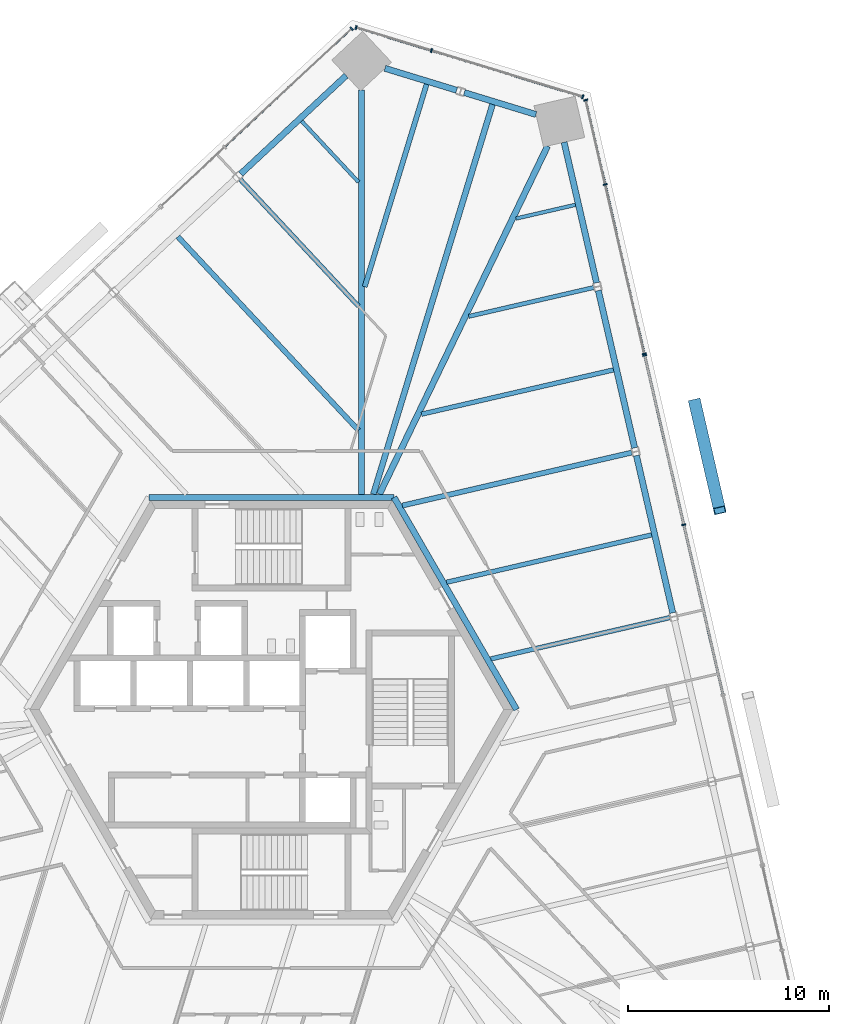
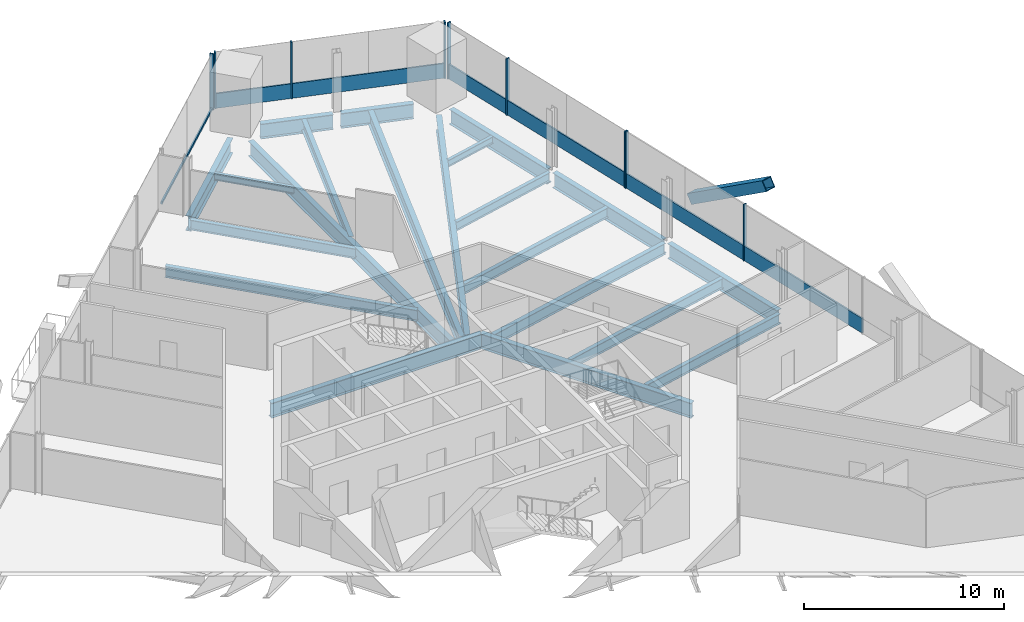
# One storey, part 8 of 19: 21 beams, 17 members, 4 elements without a shape of their own.
"""IFC4 building model written with IfcOpenShell, lengths in metres."""

import ifcopenshell
import ifcopenshell.guid

model = None  # the IFC model being written
_history = None  # IfcOwnerHistory: only IFC2X3 demands one
_inside = {}  # id of a spatial element -> (the spatial element, [elements in it])
_under = {}  # id of a project, library or spatial element -> (it, [spatial elements below it])
_declared = {}  # id of a project -> (the project, [libraries it declares])
_typed = {}  # id of a type object -> (the type object, [elements of that type])
_made_of = {}  # id of a material, layer set ... -> (it, [elements and type objects made of it])


def new_model(schema):
    """Start an empty IFC model of exactly this schema.

    Asked for "IFC4X3", IfcOpenShell would pick the latest addendum, in which some entities
    have other attributes; the version numbers below select the first issue.
    IFC2X3 requires an IfcOwnerHistory on every rooted entity: one is made here for all.
    """
    global model, _history
    if schema == "IFC4X3":
        model = ifcopenshell.file(schema_version=(4, 3, 0, 0))
    else:
        model = ifcopenshell.file(schema=schema)
    _inside.clear()
    _under.clear()
    _declared.clear()
    _typed.clear()
    _made_of.clear()
    _history = None
    if model.schema == "IFC2X3":
        org = make("IfcOrganization", Name="unknown")
        user = make(
            "IfcPersonAndOrganization",
            ThePerson=make("IfcPerson", FamilyName="unknown"),
            TheOrganization=org,
        )
        app = make(
            "IfcApplication",
            ApplicationDeveloper=org,
            Version="unknown",
            ApplicationFullName="unknown",
            ApplicationIdentifier="unknown",
        )
        _history = make(
            "IfcOwnerHistory",
            OwningUser=user,
            OwningApplication=app,
            ChangeAction="ADDED",
            CreationDate=0,
        )
    return model


def make(cls, **values):
    """One entity of the class cls with the attributes given. An attribute that is None is left unset."""
    return model.create_entity(
        cls, **{name: value for name, value in values.items() if value is not None}
    )


def rooted(cls, **values):
    """An entity with a GlobalId (a new one), such as an element, a storey or a relation."""
    return make(cls, GlobalId=ifcopenshell.guid.new(), OwnerHistory=_history, **values)


def si_unit(unit_type, name, prefix=None):
    """IfcSIUnit, for example si_unit("LENGTHUNIT", "METRE", prefix="MILLI")."""
    return make("IfcSIUnit", UnitType=unit_type, Prefix=prefix, Name=name)


def assignment(units):
    """IfcUnitAssignment: the units of a project."""
    return None if units is None else make("IfcUnitAssignment", Units=units)


def point(xyz):
    """IfcCartesianPoint."""
    return None if xyz is None else make("IfcCartesianPoint", Coordinates=xyz)


def direction(xyz):
    """IfcDirection."""
    return None if xyz is None else make("IfcDirection", DirectionRatios=xyz)


def frame(location, z_axis=None, x_axis=None):
    """IfcAxis2Placement3D, a coordinate frame: its origin and axes. An axis left out is left unset."""
    return make(
        "IfcAxis2Placement3D",
        Location=point(location),
        Axis=direction(z_axis),
        RefDirection=direction(x_axis),
    )


def frame_2d(location, x_axis=None):
    """IfcAxis2Placement2D, a coordinate frame in the plane: its origin and x axis."""
    return make(
        "IfcAxis2Placement2D", Location=point(location), RefDirection=direction(x_axis)
    )


def origin():
    """The frame at (0, 0, 0) with its axes left unset."""
    return frame((0.0, 0.0, 0.0))


def origin_2d():
    """The frame at (0, 0) in the plane with its x axis left unset."""
    return frame_2d((0.0, 0.0))


def place(relative_to, where):
    """IfcLocalPlacement: puts the frame where relative to a parent placement (None: the world)."""
    return make(
        "IfcLocalPlacement", PlacementRelTo=relative_to, RelativePlacement=where
    )


def context(
    kind, dimensions, precision=None, world=None, true_north=None, identifier=None
):
    """IfcGeometricRepresentationContext, for example the 3D "Model" context."""
    return make(
        "IfcGeometricRepresentationContext",
        ContextIdentifier=identifier,
        ContextType=kind,
        CoordinateSpaceDimension=dimensions,
        Precision=precision,
        WorldCoordinateSystem=world,
        TrueNorth=true_north,
    )


def subcontext(parent, identifier, kind, view, scale=None):
    """IfcGeometricRepresentationSubContext, for example "Body" below "Model"."""
    return make(
        "IfcGeometricRepresentationSubContext",
        ContextIdentifier=identifier,
        ContextType=kind,
        ParentContext=parent,
        TargetScale=scale,
        TargetView=view,
    )


def project(units=None, contexts=None):
    """IfcProject with its units and contexts."""
    return rooted(
        "IfcProject",
        Name="project",
        RepresentationContexts=contexts,
        UnitsInContext=assignment(units),
    )


def spatial(cls, under=None, at=None, **own):
    """A site, building, storey or space (cls), placed at a placement, below another one or the project."""
    s = rooted(cls, ObjectPlacement=at, **own)
    if under is not None:
        _under.setdefault(under.id(), (under, []))[1].append(s)
    return s


def profile(cls, at=None, kind="AREA", **sizes):
    """A parametric profile (cls). Its sizes go by their IFC names, for example OverallWidth=200.0."""
    return make(cls, ProfileType=kind, Position=at, **sizes)


def rectangle(**sizes):
    """IfcRectangleProfileDef."""
    return profile("IfcRectangleProfileDef", **sizes)


def hollow_rectangle(**sizes):
    """IfcRectangleHollowProfileDef."""
    return profile("IfcRectangleHollowProfileDef", **sizes)


def i_section(**sizes):
    """IfcIShapeProfileDef."""
    return profile("IfcIShapeProfileDef", **sizes)


def extrude(swept, where, along, depth):
    """IfcExtrudedAreaSolid: the profile swept, set in the frame where, extruded along a direction by depth."""
    return make(
        "IfcExtrudedAreaSolid",
        SweptArea=swept,
        Position=where,
        ExtrudedDirection=direction(along),
        Depth=depth,
    )


def shape(context_of_items, identifier, shape_type, items):
    """IfcShapeRepresentation: the items that make up one representation, for example the "Body"."""
    return make(
        "IfcShapeRepresentation",
        ContextOfItems=context_of_items,
        RepresentationIdentifier=identifier,
        RepresentationType=shape_type,
        Items=items,
    )


def source(mapping_origin, context_of_items, identifier, shape_type, items):
    """IfcRepresentationMap: a shape defined once, which mapped items show again and again."""
    return make(
        "IfcRepresentationMap",
        MappingOrigin=mapping_origin,
        MappedRepresentation=shape(context_of_items, identifier, shape_type, items),
    )


def transform(
    local_origin,
    x_axis=None,
    y_axis=None,
    z_axis=None,
    scale=None,
    scale2=None,
    scale3=None,
    uniform=True,
):
    """IfcCartesianTransformationOperator3D, or its non-uniform kind. x_axis, y_axis, z_axis: its Axis1, 2, 3."""
    if uniform:
        return make(
            "IfcCartesianTransformationOperator3D",
            Axis1=direction(x_axis),
            Axis2=direction(y_axis),
            LocalOrigin=point(local_origin),
            Scale=scale,
            Axis3=direction(z_axis),
        )
    return make(
        "IfcCartesianTransformationOperator3DnonUniform",
        Axis1=direction(x_axis),
        Axis2=direction(y_axis),
        LocalOrigin=point(local_origin),
        Scale=scale,
        Axis3=direction(z_axis),
        Scale2=scale2,
        Scale3=scale3,
    )


def mapped(mapping_source, mapping_target):
    """IfcMappedItem: shows the shape of a source again, moved by a transform."""
    return make(
        "IfcMappedItem", MappingSource=mapping_source, MappingTarget=mapping_target
    )


def material(Name=None, Category=None):
    """IfcMaterial."""
    return make("IfcMaterial", Name=Name, Category=Category)


def material_profile(
    of_material, cross_section, Name=None, Category=None, Priority=None
):
    """IfcMaterialProfile: a cross section and its material."""
    return make(
        "IfcMaterialProfile",
        Name=Name,
        Material=of_material,
        Profile=cross_section,
        Priority=Priority,
        Category=Category,
    )


def profile_set(profiles, Name=None, composite=None):
    """IfcMaterialProfileSet."""
    return make(
        "IfcMaterialProfileSet",
        Name=Name,
        MaterialProfiles=profiles,
        CompositeProfile=composite,
    )


def made_of(thing, what):
    """Note that an element or type object is made of a material, layer set ...; save() writes the relation."""
    if what is not None:
        _made_of.setdefault(what.id(), (what, []))[1].append(thing)
    return thing


def type_object(cls, material=None, **own):
    """A type object (cls), such as IfcWallType, which elements share."""
    return made_of(rooted(cls, **own), material)


def element(
    cls,
    number,
    at=None,
    inside=None,
    cuts=None,
    type_object=None,
    material=None,
    context=None,
    identifier="Body",
    shape_type=None,
    held_by="IfcProductDefinitionShape",
    body=None,
    shapes=None,
    **own,
):
    """One element of the class cls, such as IfcWall. Its Tag is "e" and its number.

    at: its placement. inside: the storey or other place that contains it. cuts: it is an
    opening in that element (IfcRelVoidsElement). A single representation is given by context,
    identifier, shape_type and body (its items); several are given by shapes. held_by: the class
    of the entity that holds the representations. save() writes the other relations.
    """
    e = rooted(cls, Tag="e%d" % number, ObjectPlacement=at, **own)
    if body is not None:
        shapes = [shape(context, identifier, shape_type, body)]
    if shapes is not None:
        e.Representation = make(held_by, Representations=shapes)
    if inside is not None:
        _inside.setdefault(inside.id(), (inside, []))[1].append(e)
    if cuts is not None:
        rooted(
            "IfcRelVoidsElement", RelatingBuildingElement=cuts, RelatedOpeningElement=e
        )
    if type_object is not None:
        _typed.setdefault(type_object.id(), (type_object, []))[1].append(e)
    return made_of(e, material)


def aggregate(whole, parts):
    """IfcRelAggregates: a whole, such as a stair, and the parts it consists of."""
    return rooted("IfcRelAggregates", RelatingObject=whole, RelatedObjects=parts)


def save(model, path):
    """Write the relations noted so far, then the file.

    IfcRelAggregates (storeys below a building ...), IfcRelContainedInSpatialStructure (elements
    in a storey), IfcRelDefinesByType, IfcRelAssociatesMaterial and IfcRelDeclares: one each for
    every whole, place, type object, material and project.
    """
    for whole, parts in _under.values():
        aggregate(whole, parts)
    for where, things in _inside.values():
        rooted(
            "IfcRelContainedInSpatialStructure",
            RelatedElements=things,
            RelatingStructure=where,
        )
    for kind, things in _typed.values():
        rooted("IfcRelDefinesByType", RelatedObjects=things, RelatingType=kind)
    for what, things in _made_of.values():
        rooted("IfcRelAssociatesMaterial", RelatedObjects=things, RelatingMaterial=what)
    for by, libraries in _declared.values():
        rooted("IfcRelDeclares", RelatingContext=by, RelatedDefinitions=libraries)
    model.write(path)


model = new_model("IFC4")

# Units and contexts
model_context = context("Model", 3, precision=1e-05, world=origin(), true_north=direction((0.0, 1.0)))
body_context = subcontext(model_context, "Body", "Model", "MODEL_VIEW")
ifc_project = project(units=[si_unit("LENGTHUNIT", "METRE"), si_unit("AREAUNIT", "SQUARE_METRE"), si_unit("VOLUMEUNIT", "CUBIC_METRE"), si_unit("PLANEANGLEUNIT", "RADIAN"), si_unit("MASSUNIT", "GRAM", prefix="KILO")], contexts=[model_context])

# Site, building, storey
site_placement = place(None, origin())
site = spatial("IfcSite", under=ifc_project, at=site_placement, CompositionType="ELEMENT")
building_placement = place(site_placement, origin())
building = spatial("IfcBuilding", under=site, at=building_placement, Name="Triune Harvest Tower", CompositionType="ELEMENT")
storey_placement = place(building_placement, frame((0.0, 0.0, 109.10009765625)))
storey = spatial("IfcBuildingStorey", under=building, at=storey_placement, Name="L27", CompositionType="ELEMENT", Elevation=109.10009765625)

# Beams
ifc_material_1 = material(Name="Steel ASTM A992 Gr 50", Category="steel")
ifc_material_profile_1 = material_profile(ifc_material_1, i_section(OverallWidth=0.3046875, OverallDepth=0.914306640625, WebThickness=0.0166015625, FlangeThickness=0.02587890625, at=origin_2d()), Name="W36x160")
ifc_profile_set_1 = profile_set([ifc_material_profile_1], Name="Steel ASTM A992 Gr 50")
beam_type_1 = type_object("IfcBeamType", Name="CG-1 Core ring girder W36x160", PredefinedType="BEAM", material=ifc_profile_set_1)
shared_shape_1 = source(origin(), body_context, "Body", "SweptSolid", [
    extrude(i_section(OverallWidth=0.3046875, OverallDepth=0.914306640625, WebThickness=0.0166015625, FlangeThickness=0.02587890625, at=origin_2d()), origin(), (0.0, 0.0, 1.0), 12.176025390625),
])
beam_1_placement = place(storey_placement, frame((12.176025390625, 0.0, -0.6171875), z_axis=(-0.5000099932, 0.866019634131, 0.0), x_axis=(-0.866019634131, -0.5000099932, 0.0)))
element("IfcBeam", 1, at=beam_1_placement, inside=storey, type_object=beam_type_1, Name="beam/L27/CG1", PredefinedType="BEAM", context=body_context, shape_type="MappedRepresentation", body=[
    mapped(shared_shape_1, transform((0.0, 0.0, 0.0), scale=1.0)),
])
shared_shape_2 = source(origin(), body_context, "Body", "SweptSolid", [
    extrude(i_section(OverallWidth=0.3046875, OverallDepth=0.914306640625, WebThickness=0.0166015625, FlangeThickness=0.02587890625, at=origin_2d()), origin(), (0.0, 0.0, 1.0), 12.17578125),
])
beam_2_placement = place(storey_placement, frame((6.087890625, 10.544677734375, -0.6171875), z_axis=(-1.0, 0.0, 0.0), x_axis=(0.0, -1.0, 0.0)))
element("IfcBeam", 2, at=beam_2_placement, inside=storey, type_object=beam_type_1, Name="beam/L27/CG2", PredefinedType="BEAM", context=body_context, shape_type="MappedRepresentation", body=[
    mapped(shared_shape_2, transform((0.0, 0.0, 0.0), scale=1.0)),
])
ifc_material_2 = material(Name="Steel ASTM A992 Gr 50", Category="steel")
ifc_material_profile_2 = material_profile(ifc_material_2, i_section(OverallWidth=0.3046875, OverallDepth=0.914306640625, WebThickness=0.0166015625, FlangeThickness=0.02587890625, at=origin_2d()), Name="W36x160")
ifc_profile_set_2 = profile_set([ifc_material_profile_2], Name="Steel ASTM A992 Gr 50")
beam_type_2 = type_object("IfcBeamType", Name="SB-1 Spandrel beam W36x160", PredefinedType="SPANDREL", material=ifc_profile_set_2)
shared_shape_3 = source(origin(), body_context, "Body", "SweptSolid", [
    extrude(i_section(OverallWidth=0.3046875, OverallDepth=0.914306640625, WebThickness=0.0166015625, FlangeThickness=0.02587890625, at=origin_2d()), origin(), (0.0, 0.0, 1.0), 8.0185546875),
])
beam_3_placement = place(storey_placement, frame((18.04248046875, 13.00439453125, -0.6171875), z_axis=(-0.224915098534, 0.974378365139, 0.0), x_axis=(-0.974378365139, -0.224915098534, 0.0)))
element("IfcBeam", 3, at=beam_3_placement, inside=storey, type_object=beam_type_2, Name="beam/L27/SB5", PredefinedType="SPANDREL", context=body_context, shape_type="MappedRepresentation", body=[
    mapped(shared_shape_3, transform((0.0, 0.0, 0.0), scale=1.0)),
])
shared_shape_4 = source(origin(), body_context, "Body", "SweptSolid", [
    extrude(i_section(OverallWidth=0.3046875, OverallDepth=0.914306640625, WebThickness=0.0166015625, FlangeThickness=0.02587890625, at=origin_2d()), origin(), (0.0, 0.0, 1.0), 8.01806640625),
])
beam_4_placement = place(storey_placement, frame((19.935546875, 4.805908203125, -0.6171875), z_axis=(-0.224957352975, 0.97436861061, 0.0), x_axis=(-0.97436861061, -0.224957352975, 0.0)))
element("IfcBeam", 4, at=beam_4_placement, inside=storey, type_object=beam_type_2, Name="beam/L27/SB4", PredefinedType="SPANDREL", context=body_context, shape_type="MappedRepresentation", body=[
    mapped(shared_shape_4, transform((0.0, 0.0, 0.0), scale=1.0)),
])
shared_shape_5 = source(origin(), body_context, "Body", "SweptSolid", [
    extrude(i_section(OverallWidth=0.3046875, OverallDepth=0.914306640625, WebThickness=0.0166015625, FlangeThickness=0.02587890625, at=origin_2d()), origin(), (0.0, 0.0, 1.0), 7.16650390625),
])
for number, where, z_axis, x_axis, name in (
    (5, (16.14990234375, 21.203369140625, -0.6171875), (-0.224981420466, 0.974363053715, 0.0), (-0.974363053715, -0.224981420466, 0.0), "beam/L27/SB6"),
    (6, (3.709228515625, 31.49658203125, -0.6171875), (-0.731357675554, -0.681994098515, 0.0), (0.681994098515, -0.731357675554, 0.0), "beam/L27/SB9"),
):
    element("IfcBeam", number, at=place(storey_placement, frame(where, z_axis=z_axis, x_axis=x_axis)), inside=storey, type_object=beam_type_2, Name=name, PredefinedType="SPANDREL", context=body_context, shape_type="MappedRepresentation", body=[
        mapped(shared_shape_5, transform((0.0, 0.0, 0.0), scale=1.0)),
    ])
shared_shape_6 = source(origin(), body_context, "Body", "SweptSolid", [
    extrude(i_section(OverallWidth=0.3046875, OverallDepth=0.914306640625, WebThickness=0.0166015625, FlangeThickness=0.02587890625, at=origin_2d()), origin(), (0.0, 0.0, 1.0), 3.72607421875),
])
beam_5_placement = place(storey_placement, frame((13.14208984375, 29.563720703125, -0.6171875), z_axis=(-0.956307307825, 0.292363357829, 0.0), x_axis=(-0.292363357829, -0.956307307825, 0.0)))
element("IfcBeam", 7, at=beam_5_placement, inside=storey, type_object=beam_type_2, Name="beam/L27/SB7", PredefinedType="SPANDREL", context=body_context, shape_type="MappedRepresentation", body=[
    mapped(shared_shape_6, transform((0.0, 0.0, 0.0), scale=1.0)),
])
shared_shape_7 = source(origin(), body_context, "Body", "SweptSolid", [
    extrude(i_section(OverallWidth=0.3046875, OverallDepth=0.914306640625, WebThickness=0.0166015625, FlangeThickness=0.02587890625, at=origin_2d()), origin(), (0.0, 0.0, 1.0), 3.725830078125),
])
beam_6_placement = place(storey_placement, frame((9.19970703125, 30.768798828125, -0.6171875), z_axis=(-0.956301706638, 0.292381678431, 0.0), x_axis=(-0.292381678431, -0.956301706638, 0.0)))
element("IfcBeam", 8, at=beam_6_placement, inside=storey, type_object=beam_type_2, Name="beam/L27/SB8", PredefinedType="SPANDREL", context=body_context, shape_type="MappedRepresentation", body=[
    mapped(shared_shape_7, transform((0.0, 0.0, 0.0), scale=1.0)),
])
ifc_material_3 = material(Name="Steel ASTM A992 Gr 50", Category="steel")
ifc_material_profile_3 = material_profile(ifc_material_3, i_section(OverallWidth=0.307373046875, OverallDepth=0.922119140625, WebThickness=0.018310546875, FlangeThickness=0.030029296875, at=origin_2d()), Name="W36x182")
ifc_profile_set_3 = profile_set([ifc_material_profile_3], Name="Steel ASTM A992 Gr 50")
beam_type_3 = type_object("IfcBeamType", Name="HG-2 Hip girder W36x182", PredefinedType="BEAM", material=ifc_profile_set_3)
shared_shape_8 = source(origin(), body_context, "Body", "SweptSolid", [
    extrude(i_section(OverallWidth=0.307373046875, OverallDepth=0.922119140625, WebThickness=0.018310546875, FlangeThickness=0.030029296875, at=origin_2d()), origin(), (0.0, 0.0, 1.0), 19.2109375),
])
beam_7_placement = place(storey_placement, frame((13.7158203125, 27.996337890625, -0.62109375), z_axis=(-0.434869540736, -0.900493466129, 0.0), x_axis=(0.900493466129, -0.434869540736, 0.0)))
element("IfcBeam", 9, at=beam_7_placement, inside=storey, type_object=beam_type_3, Name="beam/L27/HG3", PredefinedType="BEAM", context=body_context, shape_type="MappedRepresentation", body=[
    mapped(shared_shape_8, transform((0.0, 0.0, 0.0), scale=1.0)),
])
shared_shape_9 = source(origin(), body_context, "Body", "SweptSolid", [
    extrude(i_section(OverallWidth=0.307373046875, OverallDepth=0.922119140625, WebThickness=0.018310546875, FlangeThickness=0.030029296875, at=origin_2d()), origin(), (0.0, 0.0, 1.0), 20.080078125),
])
beam_8_placement = place(storey_placement, frame((4.47705078125, 30.777099609375, -0.62109375), z_axis=(0.0, -1.0, 0.0), x_axis=(1.0, 0.0, 0.0)))
element("IfcBeam", 10, at=beam_8_placement, inside=storey, type_object=beam_type_3, Name="beam/L27/HG4", PredefinedType="BEAM", context=body_context, shape_type="MappedRepresentation", body=[
    mapped(shared_shape_9, transform((0.0, 0.0, 0.0), scale=1.0)),
])
ifc_material_4 = material(Name="Steel ASTM A992 Gr 50", Category="steel")
ifc_material_profile_4 = material_profile(ifc_material_4, i_section(OverallWidth=0.22900390625, OverallDepth=0.612060546875, WebThickness=0.011962890625, FlangeThickness=0.01953125, at=origin_2d()), Name="W24x84")
ifc_profile_set_4 = profile_set([ifc_material_profile_4], Name="Steel ASTM A992 Gr 50")
beam_type_4 = type_object("IfcBeamType", Name="JT-3 Floor joist W24x84", PredefinedType="JOIST", material=ifc_profile_set_4)
shared_shape_10 = source(origin(), body_context, "Body", "SweptSolid", [
    extrude(i_section(OverallWidth=0.22900390625, OverallDepth=0.612060546875, WebThickness=0.011962890625, FlangeThickness=0.01953125, at=origin_2d()), origin(), (0.0, 0.0, 1.0), 9.129150390625),
])
beam_9_placement = place(storey_placement, frame((19.79443359375, 4.56982421875, -0.46630859375), z_axis=(-0.974374065454, -0.22493372484, 0.0), x_axis=(0.22493372484, -0.974374065454, 0.0)))
element("IfcBeam", 11, at=beam_9_placement, inside=storey, type_object=beam_type_4, Name="beam/L27/JT6", PredefinedType="JOIST", context=body_context, shape_type="MappedRepresentation", body=[
    mapped(shared_shape_10, transform((0.0, 0.0, 0.0), scale=1.0)),
])
shared_shape_11 = source(origin(), body_context, "Body", "SweptSolid", [
    extrude(i_section(OverallWidth=0.22900390625, OverallDepth=0.612060546875, WebThickness=0.011962890625, FlangeThickness=0.01953125, at=origin_2d()), origin(), (0.0, 0.0, 1.0), 10.45361328125),
])
beam_10_placement = place(storey_placement, frame((18.88525390625, 8.677978515625, -0.46630859375), z_axis=(-0.974370329956, -0.224949905758, 0.0), x_axis=(0.224949905758, -0.974370329956, 0.0)))
element("IfcBeam", 12, at=beam_10_placement, inside=storey, type_object=beam_type_4, Name="beam/L27/JT7", PredefinedType="JOIST", context=body_context, shape_type="MappedRepresentation", body=[
    mapped(shared_shape_11, transform((0.0, 0.0, 0.0), scale=1.0)),
])
ifc_material_5 = material(Name="Steel ASTM A992 Gr 50", Category="steel")
ifc_material_profile_5 = material_profile(ifc_material_5, i_section(OverallWidth=0.253662109375, OverallDepth=0.683349609375, WebThickness=0.012451171875, FlangeThickness=0.01904296875, at=origin_2d()), Name="W27x94")
ifc_profile_set_5 = profile_set([ifc_material_profile_5], Name="Steel ASTM A992 Gr 50")
beam_type_5 = type_object("IfcBeamType", Name="JT-4 Floor joist W27x94", PredefinedType="JOIST", material=ifc_profile_set_5)
shared_shape_12 = source(origin(), body_context, "Body", "SweptSolid", [
    extrude(i_section(OverallWidth=0.253662109375, OverallDepth=0.683349609375, WebThickness=0.012451171875, FlangeThickness=0.01904296875, at=origin_2d()), origin(), (0.0, 0.0, 1.0), 11.701904296875),
])
beam_11_placement = place(storey_placement, frame((17.901611328125, 12.768798828125, -0.501708984375), z_axis=(-0.974365520252, -0.224970737974, 0.0), x_axis=(0.224970737974, -0.974365520252, 0.0)))
element("IfcBeam", 13, at=beam_11_placement, inside=storey, type_object=beam_type_5, Name="beam/L27/JT8", PredefinedType="JOIST", context=body_context, shape_type="MappedRepresentation", body=[
    mapped(shared_shape_12, transform((0.0, 0.0, 0.0), scale=1.0)),
])
shared_shape_13 = source(origin(), body_context, "Body", "SweptSolid", [
    extrude(i_section(OverallWidth=0.22900390625, OverallDepth=0.612060546875, WebThickness=0.011962890625, FlangeThickness=0.01953125, at=origin_2d()), origin(), (0.0, 0.0, 1.0), 9.790283203125),
])
beam_12_placement = place(storey_placement, frame((16.9921875, 16.876708984375, -0.46630859375), z_axis=(-0.974368495141, -0.224957853113, 0.0), x_axis=(0.224957853113, -0.974368495141, 0.0)))
element("IfcBeam", 14, at=beam_12_placement, inside=storey, type_object=beam_type_4, Name="beam/L27/JT9", PredefinedType="JOIST", context=body_context, shape_type="MappedRepresentation", body=[
    mapped(shared_shape_13, transform((0.0, 0.0, 0.0), scale=1.0)),
])
ifc_material_6 = material(Name="Steel ASTM A992 Gr 50", Category="steel")
ifc_material_profile_6 = material_profile(ifc_material_6, i_section(OverallWidth=0.2099609375, OverallDepth=0.535888671875, WebThickness=0.010986328125, FlangeThickness=0.017333984375, at=origin_2d()), Name="W21x68")
ifc_profile_set_6 = profile_set([ifc_material_profile_6], Name="Steel ASTM A992 Gr 50")
beam_type_6 = type_object("IfcBeamType", Name="JT-2 Floor joist W21x68", PredefinedType="JOIST", material=ifc_profile_set_6)
shared_shape_14 = source(origin(), body_context, "Body", "SweptSolid", [
    extrude(i_section(OverallWidth=0.2099609375, OverallDepth=0.535888671875, WebThickness=0.010986328125, FlangeThickness=0.017333984375, at=origin_2d()), origin(), (0.0, 0.0, 1.0), 6.372314453125),
])
beam_13_placement = place(storey_placement, frame((16.0087890625, 20.967529296875, -0.427978515625), z_axis=(-0.974365360565, -0.224971429586, 0.0), x_axis=(0.224971429586, -0.974365360565, 0.0)))
element("IfcBeam", 15, at=beam_13_placement, inside=storey, type_object=beam_type_6, Name="beam/L27/JT10", PredefinedType="JOIST", context=body_context, shape_type="MappedRepresentation", body=[
    mapped(shared_shape_14, transform((0.0, 0.0, 0.0), scale=1.0)),
])
ifc_material_7 = material(Name="Steel ASTM A992 Gr 50", Category="steel")
ifc_material_profile_7 = material_profile(ifc_material_7, i_section(OverallWidth=0.180908203125, OverallDepth=0.41650390625, WebThickness=0.010986328125, FlangeThickness=0.01806640625, at=origin_2d()), Name="W16x57")
ifc_profile_set_7 = profile_set([ifc_material_profile_7], Name="Steel ASTM A992 Gr 50")
beam_type_7 = type_object("IfcBeamType", Name="JT-1 Floor joist W16x57", PredefinedType="JOIST", material=ifc_profile_set_7)
shared_shape_15 = source(origin(), body_context, "Body", "SweptSolid", [
    extrude(i_section(OverallWidth=0.180908203125, OverallDepth=0.41650390625, WebThickness=0.010986328125, FlangeThickness=0.01806640625, at=origin_2d()), origin(), (0.0, 0.0, 1.0), 3.0302734375),
])
beam_14_placement = place(storey_placement, frame((15.099365234375, 25.075439453125, -0.368408203125), z_axis=(-0.974372182121, -0.224941882957, 0.0), x_axis=(0.224941882957, -0.974372182121, 0.0)))
element("IfcBeam", 16, at=beam_14_placement, inside=storey, type_object=beam_type_7, Name="beam/L27/JT11", PredefinedType="JOIST", context=body_context, shape_type="MappedRepresentation", body=[
    mapped(shared_shape_15, transform((0.0, 0.0, 0.0), scale=1.0)),
])
ifc_material_8 = material(Name="Steel ASTM A992 Gr 50", Category="steel")
ifc_material_profile_8 = material_profile(ifc_material_8, i_section(OverallWidth=0.2919921875, OverallDepth=0.8583984375, WebThickness=0.01708984375, FlangeThickness=0.031005859375, at=origin_2d()), Name="W33x169")
ifc_profile_set_8 = profile_set([ifc_material_profile_8], Name="Steel ASTM A992 Gr 50")
beam_type_8 = type_object("IfcBeamType", Name="JT-7 Floor joist W33x169", PredefinedType="JOIST", material=ifc_profile_set_8)
shared_shape_16 = source(origin(), body_context, "Body", "SweptSolid", [
    extrude(i_section(OverallWidth=0.2919921875, OverallDepth=0.8583984375, WebThickness=0.01708984375, FlangeThickness=0.031005859375, at=origin_2d()), origin(), (0.0, 0.0, 1.0), 20.252685546875),
])
beam_15_placement = place(storey_placement, frame((10.982177734375, 30.064697265625, -0.58935546875), z_axis=(-0.292364925189, -0.956306828648, 0.0), x_axis=(0.956306828648, -0.292364925189, 0.0)))
element("IfcBeam", 17, at=beam_15_placement, inside=storey, type_object=beam_type_8, Name="beam/L27/JT12", PredefinedType="JOIST", context=body_context, shape_type="MappedRepresentation", body=[
    mapped(shared_shape_16, transform((0.0, 0.0, 0.0), scale=1.0)),
])
shared_shape_17 = source(origin(), body_context, "Body", "SweptSolid", [
    extrude(i_section(OverallWidth=0.253662109375, OverallDepth=0.683349609375, WebThickness=0.012451171875, FlangeThickness=0.01904296875, at=origin_2d()), origin(), (0.0, 0.0, 1.0), 10.522705078125),
])
beam_16_placement = place(storey_placement, frame((7.707275390625, 31.065673828125, -0.501708984375), z_axis=(-0.292358820543, -0.956308694957, 0.0), x_axis=(0.956308694957, -0.292358820543, 0.0)))
element("IfcBeam", 18, at=beam_16_placement, inside=storey, type_object=beam_type_5, Name="beam/L27/JT13", PredefinedType="JOIST", context=body_context, shape_type="MappedRepresentation", body=[
    mapped(shared_shape_17, transform((0.0, 0.0, 0.0), scale=1.0)),
])
shared_shape_18 = source(origin(), body_context, "Body", "SweptSolid", [
    extrude(i_section(OverallWidth=0.180908203125, OverallDepth=0.41650390625, WebThickness=0.010986328125, FlangeThickness=0.01806640625, at=origin_2d()), origin(), (0.0, 0.0, 1.0), 4.134033203125),
])
beam_17_placement = place(storey_placement, frame((1.504150390625, 29.23193359375, -0.368408203125), z_axis=(0.681989931417, -0.731361561367, 0.0), x_axis=(0.731361561367, 0.681989931417, 0.0)))
element("IfcBeam", 19, at=beam_17_placement, inside=storey, type_object=beam_type_7, Name="beam/L27/JT14", PredefinedType="JOIST", context=body_context, shape_type="MappedRepresentation", body=[
    mapped(shared_shape_18, transform((0.0, 0.0, 0.0), scale=1.0)),
])
shared_shape_19 = source(origin(), body_context, "Body", "SweptSolid", [
    extrude(i_section(OverallWidth=0.22900390625, OverallDepth=0.612060546875, WebThickness=0.011962890625, FlangeThickness=0.01953125, at=origin_2d()), origin(), (0.0, 0.0, 1.0), 8.607666015625),
])
beam_18_placement = place(storey_placement, frame((-1.546875, 26.334716796875, -0.46630859375), z_axis=(0.681999854465, -0.731352308063, 0.0), x_axis=(0.731352308063, 0.681999854465, 0.0)))
element("IfcBeam", 20, at=beam_18_placement, inside=storey, type_object=beam_type_4, Name="beam/L27/JT15", PredefinedType="JOIST", context=body_context, shape_type="MappedRepresentation", body=[
    mapped(shared_shape_19, transform((0.0, 0.0, 0.0), scale=1.0)),
])
shared_shape_20 = source(origin(), body_context, "Body", "SweptSolid", [
    extrude(i_section(OverallWidth=0.253662109375, OverallDepth=0.683349609375, WebThickness=0.012451171875, FlangeThickness=0.01904296875, at=origin_2d()), origin(), (0.0, 0.0, 1.0), 13.157470703125),
])
beam_19_placement = place(storey_placement, frame((-4.64990234375, 23.493408203125, -0.501708984375), z_axis=(0.681997545037, -0.731354461642, 0.0), x_axis=(0.731354461642, 0.681997545037, 0.0)))
element("IfcBeam", 21, at=beam_19_placement, inside=storey, type_object=beam_type_5, Name="beam/L27/JT16", PredefinedType="JOIST", context=body_context, shape_type="MappedRepresentation", body=[
    mapped(shared_shape_20, transform((0.0, 0.0, 0.0), scale=1.0)),
])

# Member
ifc_material_9 = material(Name="Steel ASTM A572 Gr 50", Category="steel")
ifc_material_profile_9 = material_profile(ifc_material_9, hollow_rectangle(XDim=0.60009765625, YDim=0.60009765625, WallThickness=0.0400390625, at=origin_2d()), Name="Box 600x600x40")
ifc_profile_set_9 = profile_set([ifc_material_profile_9], Name="Steel ASTM A572 Gr 50")
member_type_1 = type_object("IfcMemberType", Name="BR-2 Brace Box 600x600x40", PredefinedType="BRACE", material=ifc_profile_set_9)
shared_shape_21 = source(origin(), body_context, "Body", "SweptSolid", [
    extrude(hollow_rectangle(XDim=0.60009765625, YDim=0.60009765625, WallThickness=0.0400390625, at=origin_2d()), origin(), (0.0, 0.0, 1.0), 6.56640625),
])
member_1_placement = place(storey_placement, frame((21.033203125, 15.248291015625, 0.0), z_axis=(0.188134834296, -0.814891534243, 0.548230856067), x_axis=(0.974369462042, 0.224953665097, 0.0)))
element("IfcMember", 22, at=member_1_placement, inside=storey, type_object=member_type_1, Name="brace/B3-F1/d2/4", PredefinedType="BRACE", context=body_context, shape_type="MappedRepresentation", body=[
    mapped(shared_shape_21, transform((0.0, 0.0, 0.0), scale=1.0)),
])

# Curtain wall, members
ifc_material_10 = material(Name="Aluminium bronze anodised", Category="aluminium")
curtain_wall_type_1 = type_object("IfcCurtainWallType", Name="CW-7 Tower stick curtain wall with insulated spandrel infill", PredefinedType="NOTDEFINED", material=ifc_material_10)
curtain_wall_1_placement = place(storey_placement, origin())
curtain_wall_1 = element("IfcCurtainWall", 23, at=curtain_wall_1_placement, inside=storey, type_object=curtain_wall_type_1, Name="CW-7 B3-F1 L27 run 1001")
ifc_material_11 = material(Name="Aluminium bronze anodised", Category="aluminium")
ifc_material_profile_10 = material_profile(ifc_material_11, rectangle(XDim=0.199951171875, YDim=0.074951171875, at=origin_2d()), Name="MU-1 mullion 75 x 200")
ifc_profile_set_10 = profile_set([ifc_material_profile_10], Name="Aluminium bronze anodised")
member_type_2 = type_object("IfcMemberType", Name="MU-1 mullion 75 x 200", PredefinedType="MULLION", material=ifc_profile_set_10)
shared_shape_22 = source(origin(), body_context, "Body", "SweptSolid", [
    extrude(rectangle(XDim=0.199951171875, YDim=0.074951171875, at=origin_2d()), origin(), (0.0, 0.0, 1.0), 3.43994140625),
])
member_2_placement = place(storey_placement, frame((20.48388671875, 9.181396484375, 0.0), z_axis=(0.0, 0.0, 1.0), x_axis=(-0.974369954013, -0.22495153415, 0.0)))
member_2 = element("IfcMember", 24, at=member_2_placement, type_object=member_type_2, Name="CW-7 mullion B3-F1 1001.5", PredefinedType="MULLION", context=body_context, shape_type="MappedRepresentation", body=[
    mapped(shared_shape_22, transform((0.0, 0.0, 0.0), scale=1.0)),
])
member_3_placement = place(storey_placement, frame((18.54052734375, 17.599365234375, 0.0), z_axis=(0.0, 0.0, 1.0), x_axis=(-0.974369954013, -0.22495153415, 0.0)))
member_3 = element("IfcMember", 25, at=member_3_placement, type_object=member_type_2, Name="CW-7 mullion B3-F1 1001.7", PredefinedType="MULLION", context=body_context, shape_type="MappedRepresentation", body=[
    mapped(shared_shape_22, transform((0.0, 0.0, 0.0), scale=1.0)),
])

ifc_material_12 = material(Name="Aluminium bronze anodised", Category="aluminium")
curtain_wall_type_2 = type_object("IfcCurtainWallType", Name="CW-1 Tower stick curtain wall", PredefinedType="NOTDEFINED", material=ifc_material_12)
curtain_wall_2_placement = place(storey_placement, origin())
curtain_wall_2 = element("IfcCurtainWall", 26, at=curtain_wall_2_placement, inside=storey, type_object=curtain_wall_type_2, Name="CW-1 B3-F1 L27 run 2001")
member_4_placement = place(storey_placement, frame((18.523681640625, 17.67236328125, 0.0), z_axis=(0.0, 0.0, 1.0), x_axis=(-0.974370100513, -0.22495089959, 0.0)))
member_4 = element("IfcMember", 27, at=member_4_placement, type_object=member_type_2, Name="CW-1 mullion B3-F1 2001.1", PredefinedType="MULLION", context=body_context, shape_type="MappedRepresentation", body=[
    mapped(shared_shape_22, transform((0.0, 0.0, 0.0), scale=1.0)),
])
member_5_placement = place(storey_placement, frame((16.580078125, 26.090087890625, 0.0), z_axis=(0.0, 0.0, 1.0), x_axis=(-0.974370100513, -0.22495089959, 0.0)))
member_5 = element("IfcMember", 28, at=member_5_placement, type_object=member_type_2, Name="CW-1 mullion B3-F1 2001.3", PredefinedType="MULLION", context=body_context, shape_type="MappedRepresentation", body=[
    mapped(shared_shape_22, transform((0.0, 0.0, 0.0), scale=1.0)),
])
member_6_placement = place(storey_placement, frame((15.61279296875, 30.28076171875, 0.0), z_axis=(0.0, 0.0, 1.0), x_axis=(-0.974370100513, -0.22495089959, 0.0)))
member_6 = element("IfcMember", 29, at=member_6_placement, type_object=member_type_2, Name="CW-1 mullion B3-F1 2001.4", PredefinedType="MULLION", context=body_context, shape_type="MappedRepresentation", body=[
    mapped(shared_shape_22, transform((0.0, 0.0, 0.0), scale=1.0)),
])

curtain_wall_3_placement = place(storey_placement, origin())
curtain_wall_3 = element("IfcCurtainWall", 30, at=curtain_wall_3_placement, inside=storey, type_object=curtain_wall_type_2, Name="CW-1 B3-F2 L27 run 1")
member_7_placement = place(storey_placement, frame((15.462158203125, 30.4423828125, 0.0), z_axis=(0.0, 0.0, 1.0), x_axis=(-0.292376962095, -0.956303148607, 0.0)))
member_7 = element("IfcMember", 31, at=member_7_placement, type_object=member_type_2, Name="CW-1 mullion B3-F2 1.1", PredefinedType="MULLION", context=body_context, shape_type="MappedRepresentation", body=[
    mapped(shared_shape_22, transform((0.0, 0.0, 0.0), scale=1.0)),
])
member_8_placement = place(storey_placement, frame((7.945068359375, 32.740478515625, 0.0), z_axis=(0.0, 0.0, 1.0), x_axis=(-0.292376962095, -0.956303148607, 0.0)))
member_8 = element("IfcMember", 32, at=member_8_placement, type_object=member_type_2, Name="CW-1 mullion B3-F2 1.3", PredefinedType="MULLION", context=body_context, shape_type="MappedRepresentation", body=[
    mapped(shared_shape_22, transform((0.0, 0.0, 0.0), scale=1.0)),
])
member_9_placement = place(storey_placement, frame((4.20458984375, 33.884033203125, 0.0), z_axis=(0.0, 0.0, 1.0), x_axis=(-0.292376962095, -0.956303148607, 0.0)))
member_9 = element("IfcMember", 33, at=member_9_placement, type_object=member_type_2, Name="CW-1 mullion B3-F2 1.4", PredefinedType="MULLION", context=body_context, shape_type="MappedRepresentation", body=[
    mapped(shared_shape_22, transform((0.0, 0.0, 0.0), scale=1.0)),
])

# Curtain wall, member
ifc_material_13 = material(Name="Aluminium bronze anodised", Category="aluminium")
curtain_wall_type_3 = type_object("IfcCurtainWallType", Name="CW-6 Balcony window wall", PredefinedType="NOTDEFINED", material=ifc_material_13)
curtain_wall_4_placement = place(storey_placement, origin())
curtain_wall_4 = element("IfcCurtainWall", 34, at=curtain_wall_4_placement, inside=storey, type_object=curtain_wall_type_3, Name="CW-6 B3-F3 L27 run 1")
ifc_material_14 = material(Name="Aluminium bronze anodised", Category="aluminium")
ifc_material_profile_11 = material_profile(ifc_material_14, rectangle(XDim=0.199951171875, YDim=0.074951171875, at=origin_2d()), Name="MU-6 mullion 75 x 200")
ifc_profile_set_11 = profile_set([ifc_material_profile_11], Name="Aluminium bronze anodised")
member_type_3 = type_object("IfcMemberType", Name="MU-6 mullion 75 x 200", PredefinedType="MULLION", material=ifc_profile_set_11)
shared_shape_23 = source(origin(), body_context, "Body", "SweptSolid", [
    extrude(rectangle(XDim=0.199951171875, YDim=0.074951171875, at=origin_2d()), origin(), (0.0, 0.0, 1.0), 3.43994140625),
])
member_10_placement = place(storey_placement, frame((3.9892578125, 33.83447265625, 0.0), z_axis=(0.0, 0.0, 1.0), x_axis=(0.681996867032, -0.73135509389, 0.0)))
member_10 = element("IfcMember", 35, at=member_10_placement, type_object=member_type_3, Name="CW-6 mullion B3-F3 1.1", PredefinedType="MULLION", context=body_context, shape_type="MappedRepresentation", body=[
    mapped(shared_shape_23, transform((0.0, 0.0, 0.0), scale=1.0)),
])

# Member
ifc_material_15 = material(Name="Aluminium bronze anodised", Category="aluminium")
ifc_material_profile_12 = material_profile(ifc_material_15, rectangle(XDim=0.090087890625, YDim=0.89990234375, at=origin_2d()), Name="TR-1 transom 90 x 900")
ifc_profile_set_12 = profile_set([ifc_material_profile_12], Name="Aluminium bronze anodised")
member_type_4 = type_object("IfcMemberType", Name="TR-1 transom 90 x 900", PredefinedType="USERDEFINED", material=ifc_profile_set_12)
shared_shape_24 = source(origin(), body_context, "Body", "SweptSolid", [
    extrude(rectangle(XDim=0.090087890625, YDim=0.89990234375, at=origin_2d()), origin(), (0.0, 0.0, 1.0), 7.78564453125),
])
member_11_placement = place(storey_placement, frame((15.42626953125, 30.453125, 0.449951171875), z_axis=(-0.956300923205, 0.292384240817, 0.0), x_axis=(-0.292384240817, -0.956300923205, 0.0)))
member_11 = element("IfcMember", 36, at=member_11_placement, type_object=member_type_4, Name="CW-1 transom B3-F2 1.1", ObjectType="TRANSOM", PredefinedType="USERDEFINED", context=body_context, shape_type="MappedRepresentation", body=[
    mapped(shared_shape_24, transform((0.0, 0.0, 0.0), scale=1.0)),
])

shared_shape_25 = source(origin(), body_context, "Body", "SweptSolid", [
    extrude(rectangle(XDim=0.090087890625, YDim=0.89990234375, at=origin_2d()), origin(), (0.0, 0.0, 1.0), 3.83642578125),
])
member_12_placement = place(storey_placement, frame((7.9091796875, 32.75146484375, 0.449951171875), z_axis=(-0.956308580564, 0.292359194724, 0.0), x_axis=(-0.292359194724, -0.956308580564, 0.0)))
member_12 = element("IfcMember", 37, at=member_12_placement, type_object=member_type_4, Name="CW-1 transom B3-F2 1.2", ObjectType="TRANSOM", PredefinedType="USERDEFINED", context=body_context, shape_type="MappedRepresentation", body=[
    mapped(shared_shape_25, transform((0.0, 0.0, 0.0), scale=1.0)),
])

aggregate(curtain_wall_3, [member_7, member_8, member_9, member_11, member_12])

shared_shape_26 = source(origin(), body_context, "Body", "SweptSolid", [
    extrude(rectangle(XDim=0.090087890625, YDim=0.89990234375, at=origin_2d()), origin(), (0.0, 0.0, 1.0), 8.564208984375),
])
member_13_placement = place(storey_placement, frame((20.475341796875, 9.218017578125, 0.449951171875), z_axis=(-0.224949030659, 0.974370531988, 0.0), x_axis=(-0.974370531988, -0.224949030659, 0.0)))
member_13 = element("IfcMember", 38, at=member_13_placement, type_object=member_type_4, Name="CW-7 transom B3-F1 1001.3", ObjectType="TRANSOM", PredefinedType="USERDEFINED", context=body_context, shape_type="MappedRepresentation", body=[
    mapped(shared_shape_26, transform((0.0, 0.0, 0.0), scale=1.0)),
])

member_14_placement = place(storey_placement, frame((18.51513671875, 17.708984375, 0.449951171875), z_axis=(-0.224949030659, 0.974370531988, 0.0), x_axis=(-0.974370531988, -0.224949030659, 0.0)))
member_14 = element("IfcMember", 39, at=member_14_placement, type_object=member_type_4, Name="CW-1 transom B3-F1 2001.1", ObjectType="TRANSOM", PredefinedType="USERDEFINED", context=body_context, shape_type="MappedRepresentation", body=[
    mapped(shared_shape_26, transform((0.0, 0.0, 0.0), scale=1.0)),
])

shared_shape_27 = source(origin(), body_context, "Body", "SweptSolid", [
    extrude(rectangle(XDim=0.090087890625, YDim=0.89990234375, at=origin_2d()), origin(), (0.0, 0.0, 1.0), 4.225830078125),
])
member_15_placement = place(storey_placement, frame((16.57177734375, 26.126708984375, 0.449951171875), z_axis=(-0.224973431044, 0.974364898446, 0.0), x_axis=(-0.974364898446, -0.224973431044, 0.0)))
member_15 = element("IfcMember", 40, at=member_15_placement, type_object=member_type_4, Name="CW-1 transom B3-F1 2001.2", ObjectType="TRANSOM", PredefinedType="USERDEFINED", context=body_context, shape_type="MappedRepresentation", body=[
    mapped(shared_shape_27, transform((0.0, 0.0, 0.0), scale=1.0)),
])

aggregate(curtain_wall_2, [member_4, member_5, member_6, member_14, member_15])

shared_shape_28 = source(origin(), body_context, "Body", "SweptSolid", [
    extrude(rectangle(XDim=0.090087890625, YDim=0.89990234375, at=origin_2d()), origin(), (0.0, 0.0, 1.0), 8.601806640625),
])
member_16_placement = place(storey_placement, frame((22.42724609375, 0.763671875, 0.449951171875), z_axis=(-0.224959003423, 0.974368229562, 0.0), x_axis=(-0.974368229562, -0.224959003423, 0.0)))
member_16 = element("IfcMember", 41, at=member_16_placement, type_object=member_type_4, Name="CW-7 transom B3-F1 1001.2", ObjectType="TRANSOM", PredefinedType="USERDEFINED", context=body_context, shape_type="MappedRepresentation", body=[
    mapped(shared_shape_28, transform((0.0, 0.0, 0.0), scale=1.0)),
])

aggregate(curtain_wall_1, [member_2, member_3, member_16, member_13])

ifc_material_16 = material(Name="Aluminium bronze anodised", Category="aluminium")
ifc_material_profile_13 = material_profile(ifc_material_16, rectangle(XDim=0.090087890625, YDim=0.14990234375, at=origin_2d()), Name="TR-6 transom 90 x 150")
ifc_profile_set_13 = profile_set([ifc_material_profile_13], Name="Aluminium bronze anodised")
member_type_5 = type_object("IfcMemberType", Name="TR-6 transom 90 x 150", PredefinedType="USERDEFINED", material=ifc_profile_set_13)
shared_shape_29 = source(origin(), body_context, "Body", "SweptSolid", [
    extrude(rectangle(XDim=0.090087890625, YDim=0.14990234375, at=origin_2d()), origin(), (0.0, 0.0, 1.0), 8.55810546875),
])
member_17_placement = place(storey_placement, frame((3.9619140625, 33.808837890625, 0.074951171875), z_axis=(-0.73135212596, -0.682000049746, 0.0), x_axis=(0.682000049746, -0.73135212596, 0.0)))
member_17 = element("IfcMember", 42, at=member_17_placement, type_object=member_type_5, Name="CW-6 transom B3-F3 1.1", ObjectType="TRANSOM", PredefinedType="USERDEFINED", context=body_context, shape_type="MappedRepresentation", body=[
    mapped(shared_shape_29, transform((0.0, 0.0, 0.0), scale=1.0)),
])

aggregate(curtain_wall_4, [member_10, member_17])

save(model, "model.ifc")
